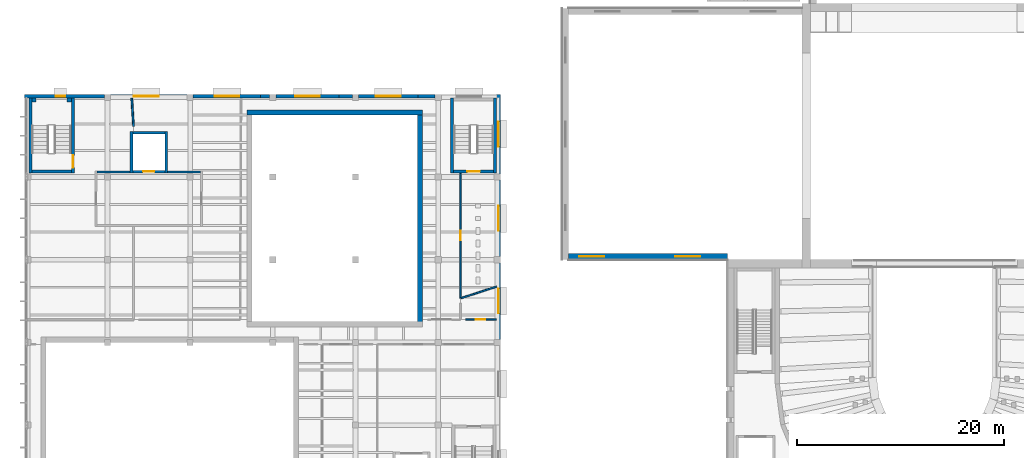
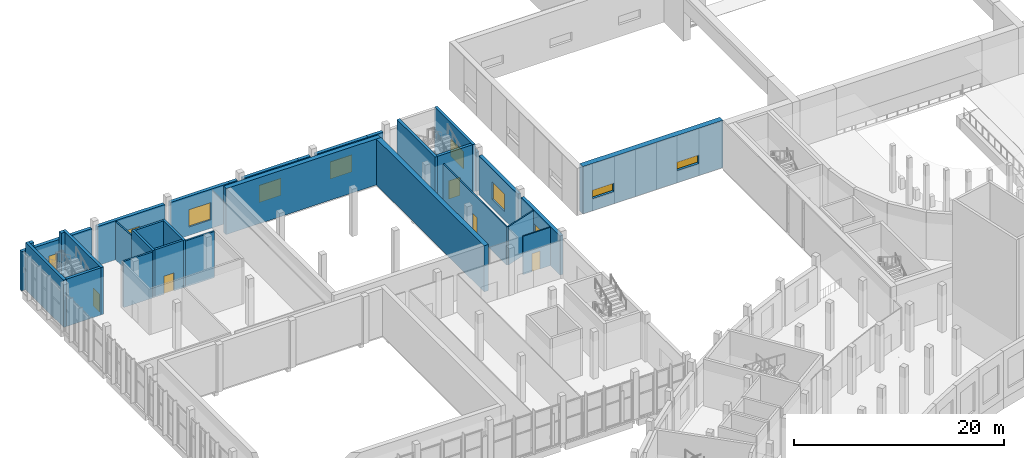
# One storey, part 37 of 87: 32 walls, 10 windows, 5 doors, 15 openings.
"""IFC4 building model written with IfcOpenShell, lengths in metres."""

from ifc_helpers import new_model, si_unit, direction, frame, frame_2d, origin, place, context, subcontext, project, spatial, rectangle, extrude, material, layer, layer_set, type_object, element, fill, save


model = new_model("IFC4")

# Units and contexts
model_context = context("Model", 3, precision=1e-05, world=origin(), true_north=direction((0.0, 1.0)))
body_context = subcontext(model_context, "Body", "Model", "MODEL_VIEW")
ifc_project = project(units=[si_unit("LENGTHUNIT", "METRE"), si_unit("AREAUNIT", "SQUARE_METRE"), si_unit("VOLUMEUNIT", "CUBIC_METRE"), si_unit("PLANEANGLEUNIT", "RADIAN"), si_unit("MASSUNIT", "GRAM", prefix="KILO")], contexts=[model_context])

# Site, building, storey
site_placement = place(None, origin())
site = spatial("IfcSite", under=ifc_project, at=site_placement, CompositionType="ELEMENT")
building_placement = place(site_placement, origin())
building = spatial("IfcBuilding", under=site, at=building_placement, Name="Lunette Opera House", CompositionType="ELEMENT")
storey_placement = place(building_placement, frame((0.0, 0.0, 11.5)))
storey = spatial("IfcBuildingStorey", under=building, at=storey_placement, Name="L02", CompositionType="ELEMENT", Elevation=11.5)

# Wall
ifc_material_1 = material(Name="Plastered clay blockwork", Category="masonry")
ifc_layer_1 = layer(ifc_material_1, 0.175048828125)
ifc_layer_set_1 = layer_set([ifc_layer_1], Name="Plastered clay blockwork")
wall_type_1 = type_object("IfcWallType", Name="ACOUSTIC BLOCK PARTITION 175", PredefinedType="PARTITIONING", material=ifc_layer_set_1)
wall_1_placement = place(storey_placement, frame((18.34912109375, 111.634033203125, 0.0), z_axis=(0.0, 0.0, 1.0), x_axis=(0.063804010447, -0.997962448317, 0.0)))
element("IfcWall", 1, at=wall_1_placement, inside=storey, type_object=wall_type_1, Name="Partition Soloists' Studio", PredefinedType="PARTITIONING", context=body_context, shape_type="SweptSolid", body=[
    extrude(rectangle(XDim=2.73974609375, YDim=0.175048828125, at=frame_2d((1.369873046875, 0.0))), origin(), (0.0, 0.0, 1.0), 4.449951171875),
])

# Wall, opening, door
ifc_material_2 = material(Name="Plastered clay blockwork", Category="masonry")
ifc_layer_2 = layer(ifc_material_2, 0.14990234375)
ifc_layer_set_2 = layer_set([ifc_layer_2], Name="Plastered clay blockwork")
wall_type_2 = type_object("IfcWallType", Name="BLOCK PARTITION 150", PredefinedType="PARTITIONING", material=ifc_layer_set_2)
wall_2_placement = place(storey_placement, frame((50.14892578125, 104.35009765625, 0.0), z_axis=(0.0, 0.0, 1.0), x_axis=(0.0, -1.0, 0.0)))
wall_2 = element("IfcWall", 2, at=wall_2_placement, inside=storey, type_object=wall_type_2, Name="Partition Rehearsal Wing WC L02", PredefinedType="PARTITIONING", context=body_context, shape_type="SweptSolid", body=[
    extrude(rectangle(XDim=12.072021484375, YDim=0.14990234375, at=frame_2d((6.0361328125, 0.0))), origin(), (0.0, 0.0, 1.0), 4.449951171875),
])
opening_1_placement = place(wall_2_placement, frame((5.56103515625, 0.0, 0.0)))
opening_1 = element("IfcOpeningElement", 3, at=opening_1_placement, cuts=wall_2, Name="Opening RW-D3034", PredefinedType="OPENING", context=body_context, shape_type="SweptSolid", body=[
    extrude(rectangle(XDim=0.89990234375, YDim=2.10009765625, at=frame_2d((0.449951171875, 1.050048828125))), frame((0.0, 0.0869140625, 0.0), z_axis=(0.0, -1.0, 0.0), x_axis=(1.0, 0.0, 0.0)), (0.0, 0.0, 1.0), 0.173828125),
])
ifc_material_3 = material(Name="Timber", Category="wood")
door_type_1 = type_object("IfcDoorType", Name="FLUSH DOOR 900 X 2100", OperationType="SINGLE_SWING_LEFT", PredefinedType="DOOR", material=ifc_material_3)
door_1_placement = place(opening_1_placement, origin())
door_1 = element("IfcDoor", 4, at=door_1_placement, inside=storey, type_object=door_type_1, Name="Rehearsal Wing WC L02 door", OperationType="SINGLE_SWING_LEFT", OverallHeight=2.10009765625, OverallWidth=0.89990234375, PredefinedType="DOOR", context=body_context, shape_type="SweptSolid", body=[
    extrude(rectangle(XDim=0.89990234375, YDim=2.10009765625, at=frame_2d((0.449951171875, 1.050048828125))), frame((0.0, 0.02490234375, 0.0), z_axis=(0.0, -1.0, 0.0), x_axis=(1.0, 0.0, 0.0)), (0.0, 0.0, 1.0), 0.050048828125),
])
fill(opening_1, door_1)

wall_3_placement = place(storey_placement, frame((50.64892578125, 90.199951171875, 0.0), z_axis=(0.0, 0.0, 1.0), x_axis=(1.0, 0.0, 0.0)))
wall_3 = element("IfcWall", 5, at=wall_3_placement, inside=storey, type_object=wall_type_2, Name="Partition Accessible WC L02 Rehearsal", PredefinedType="PARTITIONING", context=body_context, shape_type="SweptSolid", body=[
    extrude(rectangle(XDim=2.986083984375, YDim=0.14990234375, at=frame_2d((1.4931640625, 0.0))), origin(), (0.0, 0.0, 1.0), 4.449951171875),
])
opening_2_placement = place(wall_3_placement, frame((0.97509765625, 0.0, 0.0)))
opening_2 = element("IfcOpeningElement", 6, at=opening_2_placement, cuts=wall_3, Name="Opening RW-D3035", PredefinedType="OPENING", context=body_context, shape_type="SweptSolid", body=[
    extrude(rectangle(XDim=0.89990234375, YDim=2.10009765625, at=frame_2d((0.449951171875, 1.050048828125))), frame((0.0, 0.0869140625, 0.0), z_axis=(0.0, -1.0, 0.0), x_axis=(1.0, 0.0, 0.0)), (0.0, 0.0, 1.0), 0.173828125),
])
door_2_placement = place(opening_2_placement, origin())
door_2 = element("IfcDoor", 7, at=door_2_placement, inside=storey, type_object=door_type_1, Name="Accessible WC L02 Rehearsal door", OperationType="SINGLE_SWING_LEFT", OverallHeight=2.10009765625, OverallWidth=0.89990234375, PredefinedType="DOOR", context=body_context, shape_type="SweptSolid", body=[
    extrude(rectangle(XDim=0.89990234375, YDim=2.10009765625, at=frame_2d((0.449951171875, 1.050048828125))), frame((0.0, 0.02490234375, 0.0), z_axis=(0.0, -1.0, 0.0), x_axis=(1.0, 0.0, 0.0)), (0.0, 0.0, 1.0), 0.050048828125),
])
fill(opening_2, door_2)

# Walls
wall_4_placement = place(storey_placement, frame((50.22509765625, 92.278076171875, 0.0), z_axis=(0.0, 0.0, 1.0), x_axis=(0.950317009652, 0.311283763096, 0.0)))
element("IfcWall", 8, at=wall_4_placement, inside=storey, type_object=wall_type_2, Name="Partition Rehearsal Wing WC L02", PredefinedType="PARTITIONING", context=body_context, shape_type="SweptSolid", body=[
    extrude(rectangle(XDim=3.588134765625, YDim=0.14990234375, at=frame_2d((1.7939453125, 0.0))), origin(), (0.0, 0.0, 1.0), 4.449951171875),
])
ifc_material_4 = material(Name="Concrete C35/45", Category="concrete")
ifc_layer_3 = layer(ifc_material_4, 0.199951171875)
ifc_layer_set_3 = layer_set([ifc_layer_3], Name="Concrete C35/45")
wall_type_3 = type_object("IfcWallType", Name="LOBBY WALL 200", PredefinedType="PARTITIONING", material=ifc_layer_set_3)
for number, where, z_axis, x_axis, name in (
    (9, (25.0, 104.5, 0.0), (0.0, 0.0, 1.0), (-1.0, 0.0, 0.0), "LL-R lobby wall 2a"),
    (10, (18.179931640625, 104.5, 0.0), (0.0, 0.0, 1.0), (-1.0, 0.0, 0.0), "LL-R lobby wall 2b"),
):
    element("IfcWall", number, at=place(storey_placement, frame(where, z_axis=z_axis, x_axis=x_axis)), inside=storey, type_object=wall_type_3, Name=name, PredefinedType="PARTITIONING", context=body_context, shape_type="SweptSolid", body=[
        extrude(rectangle(XDim=3.179931640625, YDim=0.199951171875, at=frame_2d((1.58984375, 0.0))), origin(), (0.0, 0.0, 1.0), 5.35009765625),
    ])
ifc_material_5 = material(Name="Concrete C35/45", Category="concrete")
ifc_layer_4 = layer(ifc_material_5, 0.25)
ifc_layer_set_4 = layer_set([ifc_layer_4], Name="Concrete C35/45")
wall_type_4 = type_object("IfcWallType", Name="RC LIFT SHAFT WALL 250", PredefinedType="SOLIDWALL", material=ifc_layer_set_4)
wall_5_placement = place(storey_placement, frame((21.675048828125, 104.39990234375, 0.0), z_axis=(0.0, 0.0, 1.0), x_axis=(0.0, 1.0, 0.0)))
element("IfcWall", 11, at=wall_5_placement, inside=storey, type_object=wall_type_4, Name="LF5 shaft wall 1", PredefinedType="SOLIDWALL", context=body_context, shape_type="SweptSolid", body=[
    extrude(rectangle(XDim=4.0, YDim=0.25, at=frame_2d((2.0, 0.0))), origin(), (0.0, 0.0, 1.0), 5.5),
])
wall_6_placement = place(storey_placement, frame((21.550048828125, 108.27490234375, 0.0), z_axis=(0.0, 0.0, 1.0), x_axis=(-1.0, 0.0, 0.0)))
element("IfcWall", 12, at=wall_6_placement, inside=storey, type_object=wall_type_4, Name="LF5 shaft wall 2", PredefinedType="SOLIDWALL", context=body_context, shape_type="SweptSolid", body=[
    extrude(rectangle(XDim=3.10009765625, YDim=0.25, at=frame_2d((1.550048828125, 0.0))), origin(), (0.0, 0.0, 1.0), 5.5),
])
wall_7_placement = place(storey_placement, frame((18.324951171875, 108.39990234375, 0.0), z_axis=(0.0, 0.0, 1.0), x_axis=(0.0, -1.0, 0.0)))
element("IfcWall", 13, at=wall_7_placement, inside=storey, type_object=wall_type_4, Name="LF5 shaft wall 3", PredefinedType="SOLIDWALL", context=body_context, shape_type="SweptSolid", body=[
    extrude(rectangle(XDim=4.0, YDim=0.25, at=frame_2d((2.0, 0.0))), origin(), (0.0, 0.0, 1.0), 5.5),
])

# Wall, opening, door
wall_8_placement = place(storey_placement, frame((18.449951171875, 104.52490234375, 0.0), z_axis=(0.0, 0.0, 1.0), x_axis=(1.0, 0.0, 0.0)))
wall_8 = element("IfcWall", 14, at=wall_8_placement, inside=storey, type_object=wall_type_4, Name="LF5 shaft wall 4", PredefinedType="SOLIDWALL", context=body_context, shape_type="SweptSolid", body=[
    extrude(rectangle(XDim=3.10009765625, YDim=0.25, at=frame_2d((1.550048828125, 0.0))), origin(), (0.0, 0.0, 1.0), 5.5),
])
opening_3_placement = place(wall_8_placement, frame((1.0, 0.0, 0.0)))
opening_3 = element("IfcOpeningElement", 15, at=opening_3_placement, cuts=wall_8, Name="Opening RW-LD004", PredefinedType="OPENING", context=body_context, shape_type="SweptSolid", body=[
    extrude(rectangle(XDim=1.10009765625, YDim=2.10009765625, at=frame_2d((0.550048828125, 1.050048828125))), frame((0.0, 0.136962890625, 0.0), z_axis=(0.0, -1.0, 0.0), x_axis=(1.0, 0.0, 0.0)), (0.0, 0.0, 1.0), 0.27392578125),
])
ifc_material_6 = material(Name="Stainless steel", Category="steel")
door_type_2 = type_object("IfcDoorType", Name="LIFT LANDING DOOR 1100 X 2100", OperationType="DOUBLE_DOOR_SLIDING", PredefinedType="DOOR", material=ifc_material_6)
door_3_placement = place(opening_3_placement, origin())
door_3 = element("IfcDoor", 16, at=door_3_placement, inside=storey, type_object=door_type_2, Name="LF5 lift landing door", OperationType="DOUBLE_DOOR_SLIDING", OverallHeight=2.10009765625, OverallWidth=1.10009765625, PredefinedType="DOOR", context=body_context, shape_type="SweptSolid", body=[
    extrude(rectangle(XDim=1.10009765625, YDim=2.10009765625, at=frame_2d((0.550048828125, 1.050048828125))), frame((0.0, 0.02490234375, 0.0), z_axis=(0.0, -1.0, 0.0), x_axis=(1.0, 0.0, 0.0)), (0.0, 0.0, 1.0), 0.050048828125),
])
fill(opening_3, door_3)

# Walls
ifc_material_7 = material(Name="Concrete C35/45", Category="concrete")
ifc_layer_5 = layer(ifc_material_7, 0.39990234375)
ifc_layer_set_5 = layer_set([ifc_layer_5], Name="Concrete C35/45")
wall_type_5 = type_object("IfcWallType", Name="RC PILASTER 400", PredefinedType="SOLIDWALL", material=ifc_layer_set_5)
wall_9_placement = place(storey_placement, frame((12.5, 111.43505859375, 0.0), z_axis=(0.0, 0.0, 1.0), x_axis=(-1.0, 0.0, 0.0)))
element("IfcWall", 17, at=wall_9_placement, inside=storey, type_object=wall_type_5, Name="ST15 pilaster 1", PredefinedType="SOLIDWALL", context=body_context, shape_type="SweptSolid", body=[
    extrude(rectangle(XDim=0.39990234375, YDim=0.39990234375, at=frame_2d((0.199951171875, 0.0))), origin(), (0.0, 0.0, 1.0), 5.5),
])
wall_10_placement = place(storey_placement, frame((9.10009765625, 111.43505859375, 0.0), z_axis=(0.0, 0.0, 1.0), x_axis=(-1.0, 0.0, 0.0)))
element("IfcWall", 18, at=wall_10_placement, inside=storey, type_object=wall_type_5, Name="ST15 pilaster 2", PredefinedType="SOLIDWALL", context=body_context, shape_type="SweptSolid", body=[
    extrude(rectangle(XDim=0.400146484375, YDim=0.39990234375, at=frame_2d((0.2001953125, 0.0))), origin(), (0.0, 0.0, 1.0), 5.5),
])

# Wall, opening, door
ifc_material_8 = material(Name="Concrete C35/45", Category="concrete")
ifc_layer_6 = layer(ifc_material_8, 0.300048828125)
ifc_layer_set_6 = layer_set([ifc_layer_6], Name="Concrete C35/45")
wall_type_6 = type_object("IfcWallType", Name="RC STAIR ENCLOSURE WALL 300", PredefinedType="SOLIDWALL", material=ifc_layer_set_6)
wall_11_placement = place(storey_placement, frame((12.64990234375, 104.39990234375, 0.0), z_axis=(0.0, 0.0, 1.0), x_axis=(0.0, 1.0, 0.0)))
wall_11 = element("IfcWall", 19, at=wall_11_placement, inside=storey, type_object=wall_type_6, Name="ST15 enclosure wall 1", PredefinedType="SOLIDWALL", context=body_context, shape_type="SweptSolid", body=[
    extrude(rectangle(XDim=7.235107421875, YDim=0.300048828125, at=frame_2d((3.61767578125, 0.0))), origin(), (0.0, 0.0, 1.0), 5.5),
])
opening_4_placement = place(wall_11_placement, frame((0.5, 0.0, 0.0)))
opening_4 = element("IfcOpeningElement", 20, at=opening_4_placement, cuts=wall_11, Name="Opening RW-D7004", PredefinedType="OPENING", context=body_context, shape_type="SweptSolid", body=[
    extrude(rectangle(XDim=1.199951171875, YDim=2.10009765625, at=frame_2d((0.60009765625, 1.050048828125))), frame((0.0, 0.162109375, 0.0), z_axis=(0.0, -1.0, 0.0), x_axis=(1.0, 0.0, 0.0)), (0.0, 0.0, 1.0), 0.323974609375),
])
ifc_material_9 = material(Name="Steel", Category="steel")
door_type_3 = type_object("IfcDoorType", Name="FIRE DOOR 1200 X 2100", OperationType="SINGLE_SWING_LEFT", PredefinedType="DOOR", material=ifc_material_9)
door_4_placement = place(opening_4_placement, origin())
door_4 = element("IfcDoor", 21, at=door_4_placement, inside=storey, type_object=door_type_3, Name="ST15 stair door", OperationType="SINGLE_SWING_LEFT", OverallHeight=2.10009765625, OverallWidth=1.199951171875, PredefinedType="DOOR", context=body_context, shape_type="SweptSolid", body=[
    extrude(rectangle(XDim=1.199951171875, YDim=2.10009765625, at=frame_2d((0.60009765625, 1.050048828125))), frame((0.0, 0.02490234375, 0.0), z_axis=(0.0, -1.0, 0.0), x_axis=(1.0, 0.0, 0.0)), (0.0, 0.0, 1.0), 0.050048828125),
])
fill(opening_4, door_4)

# Walls
wall_12_placement = place(storey_placement, frame((8.550048828125, 111.635009765625, 0.0), z_axis=(0.0, 0.0, 1.0), x_axis=(0.0, -1.0, 0.0)))
element("IfcWall", 22, at=wall_12_placement, inside=storey, type_object=wall_type_6, Name="ST15 enclosure wall 3", PredefinedType="SOLIDWALL", context=body_context, shape_type="SweptSolid", body=[
    extrude(rectangle(XDim=7.235107421875, YDim=0.300048828125, at=frame_2d((3.61767578125, 0.0))), origin(), (0.0, 0.0, 1.0), 5.5),
])
wall_13_placement = place(storey_placement, frame((8.699951171875, 104.550048828125, 0.0), z_axis=(0.0, 0.0, 1.0), x_axis=(1.0, 0.0, 0.0)))
element("IfcWall", 23, at=wall_13_placement, inside=storey, type_object=wall_type_6, Name="ST15 enclosure wall 4", PredefinedType="SOLIDWALL", context=body_context, shape_type="SweptSolid", body=[
    extrude(rectangle(XDim=3.800048828125, YDim=0.300048828125, at=frame_2d((1.89990234375, 0.0))), origin(), (0.0, 0.0, 1.0), 5.5),
])
for number, where, z_axis, x_axis, name in (
    (24, (53.485107421875, 104.39990234375, 0.0), (0.0, 0.0, 1.0), (0.0, 1.0, 0.0), "ST17 enclosure wall 1"),
    (25, (49.35009765625, 111.635009765625, 0.0), (0.0, 0.0, 1.0), (0.0, -1.0, 0.0), "ST17 enclosure wall 3"),
):
    element("IfcWall", number, at=place(storey_placement, frame(where, z_axis=z_axis, x_axis=x_axis)), inside=storey, type_object=wall_type_6, Name=name, PredefinedType="SOLIDWALL", context=body_context, shape_type="SweptSolid", body=[
        extrude(rectangle(XDim=7.235107421875, YDim=0.300048828125, at=frame_2d((3.61767578125, 0.0))), origin(), (0.0, 0.0, 1.0), 5.5),
    ])

# Wall, opening, door
wall_14_placement = place(storey_placement, frame((49.5, 104.550048828125, 0.0), z_axis=(0.0, 0.0, 1.0), x_axis=(1.0, 0.0, 0.0)))
wall_14 = element("IfcWall", 26, at=wall_14_placement, inside=storey, type_object=wall_type_6, Name="ST17 enclosure wall 4", PredefinedType="SOLIDWALL", context=body_context, shape_type="SweptSolid", body=[
    extrude(rectangle(XDim=3.8349609375, YDim=0.300048828125, at=frame_2d((1.91748046875, 0.0))), origin(), (0.0, 0.0, 1.0), 5.5),
])
opening_5_placement = place(wall_14_placement, frame((1.31689453125, 0.0, 0.0)))
opening_5 = element("IfcOpeningElement", 27, at=opening_5_placement, cuts=wall_14, Name="Opening RW-D7016", PredefinedType="OPENING", context=body_context, shape_type="SweptSolid", body=[
    extrude(rectangle(XDim=1.199951171875, YDim=2.10009765625, at=frame_2d((0.60009765625, 1.050048828125))), frame((0.0, 0.162109375, 0.0), z_axis=(0.0, -1.0, 0.0), x_axis=(1.0, 0.0, 0.0)), (0.0, 0.0, 1.0), 0.323974609375),
])
door_5_placement = place(opening_5_placement, origin())
door_5 = element("IfcDoor", 28, at=door_5_placement, inside=storey, type_object=door_type_3, Name="ST17 stair door", OperationType="SINGLE_SWING_LEFT", OverallHeight=2.10009765625, OverallWidth=1.199951171875, PredefinedType="DOOR", context=body_context, shape_type="SweptSolid", body=[
    extrude(rectangle(XDim=1.199951171875, YDim=2.10009765625, at=frame_2d((0.60009765625, 1.050048828125))), frame((0.0, 0.02490234375, 0.0), z_axis=(0.0, -1.0, 0.0), x_axis=(1.0, 0.0, 0.0)), (0.0, 0.0, 1.0), 0.050048828125),
])
fill(opening_5, door_5)

# Walls
ifc_material_10 = material(Name="Concrete C35/45", Category="concrete")
ifc_layer_7 = layer(ifc_material_10, 0.5)
ifc_layer_set_7 = layer_set([ifc_layer_7], Name="Concrete C35/45")
wall_type_7 = type_object("IfcWallType", Name="RC WALL 500", PredefinedType="SHEAR", material=ifc_layer_set_7)
wall_15_placement = place(storey_placement, frame((29.5, 110.25, 0.0), z_axis=(0.0, 0.0, 1.0), x_axis=(1.0, 0.0, 0.0)))
element("IfcWall", 29, at=wall_15_placement, inside=storey, type_object=wall_type_7, Name="wall-RW-L02-OH-N-1", PredefinedType="SHEAR", context=body_context, shape_type="SweptSolid", body=[
    extrude(rectangle(XDim=17.0, YDim=0.5, at=frame_2d((8.5, 0.0))), origin(), (0.0, 0.0, 1.0), 5.35009765625),
])
wall_16_placement = place(storey_placement, frame((46.25, 89.5, 0.0), z_axis=(0.0, 0.0, 1.0), x_axis=(0.0, 1.0, 0.0)))
element("IfcWall", 30, at=wall_16_placement, inside=storey, type_object=wall_type_7, Name="wall-RW-L02-OH-E-1", PredefinedType="SHEAR", context=body_context, shape_type="SweptSolid", body=[
    extrude(rectangle(XDim=21.0, YDim=0.5, at=frame_2d((10.5, 0.0))), origin(), (0.0, 0.0, 1.0), 5.35009765625),
])

# Wall, openings, windows
ifc_material_11 = material(Name="Concrete C35/45", Category="concrete")
ifc_layer_8 = layer(ifc_material_11, 0.60009765625)
ifc_layer_set_8 = layer_set([ifc_layer_8], Name="Concrete C35/45")
wall_type_8 = type_object("IfcWallType", Name="RC WALL 600", PredefinedType="SHEAR", material=ifc_layer_set_8)
wall_17_placement = place(storey_placement, frame((60.60009765625, 96.300048828125, 0.0), z_axis=(0.0, 0.0, 1.0), x_axis=(1.0, 0.0, 0.0)))
wall_17 = element("IfcWall", 31, at=wall_17_placement, inside=storey, type_object=wall_type_8, Name="wall-ST-L02-SW-S-1", PredefinedType="SHEAR", context=body_context, shape_type="SweptSolid", body=[
    extrude(rectangle(XDim=15.389892578125, YDim=0.60009765625, at=frame_2d((7.69482421875, 0.0))), origin(), (0.0, 0.0, 1.0), 5.5),
])
opening_6_placement = place(wall_17_placement, frame((1.047119140625, 0.0, 1.39990234375)))
opening_6 = element("IfcOpeningElement", 32, at=opening_6_placement, cuts=wall_17, Name="Opening ST-N2093", PredefinedType="OPENING", context=body_context, shape_type="SweptSolid", body=[
    extrude(rectangle(XDim=2.39990234375, YDim=1.0, at=frame_2d((1.199951171875, 0.5))), frame((0.0, 0.31201171875, 0.0), z_axis=(0.0, -1.0, 0.0), x_axis=(1.0, 0.0, 0.0)), (0.0, 0.0, 1.0), 0.6240234375),
])
opening_7_placement = place(wall_17_placement, frame((10.342041015625, 0.0, 1.39990234375)))
opening_7 = element("IfcOpeningElement", 33, at=opening_7_placement, cuts=wall_17, Name="Opening ST-N2094", PredefinedType="OPENING", context=body_context, shape_type="SweptSolid", body=[
    extrude(rectangle(XDim=2.39990234375, YDim=1.0, at=frame_2d((1.199951171875, 0.5))), frame((0.0, 0.31201171875, 0.0), z_axis=(0.0, -1.0, 0.0), x_axis=(1.0, 0.0, 0.0)), (0.0, 0.0, 1.0), 0.6240234375),
])
ifc_material_12 = material(Name="Aluminium", Category="aluminium")
window_type_1 = type_object("IfcWindowType", Name="STAGE CLERESTORY WINDOW 2400 X 1000", PartitioningType="SINGLE_PANEL", PredefinedType="WINDOW", material=ifc_material_12)
window_1_placement = place(opening_6_placement, origin())
window_1 = element("IfcWindow", 34, at=window_1_placement, inside=storey, type_object=window_type_1, Name="Stage Clerestory Window 2400 X 1000 SW-S1 L02", OverallHeight=1.0, OverallWidth=2.39990234375, PartitioningType="SINGLE_PANEL", PredefinedType="WINDOW", context=body_context, shape_type="SweptSolid", body=[
    extrude(rectangle(XDim=2.39990234375, YDim=1.0, at=frame_2d((1.199951171875, 0.5))), frame((0.0, 0.030029296875, 0.0), z_axis=(0.0, -1.0, 0.0), x_axis=(1.0, 0.0, 0.0)), (0.0, 0.0, 1.0), 0.06005859375),
])
fill(opening_6, window_1)
window_2_placement = place(opening_7_placement, origin())
window_2 = element("IfcWindow", 35, at=window_2_placement, inside=storey, type_object=window_type_1, Name="Stage Clerestory Window 2400 X 1000 SW-S2 L02", OverallHeight=1.0, OverallWidth=2.39990234375, PartitioningType="SINGLE_PANEL", PredefinedType="WINDOW", context=body_context, shape_type="SweptSolid", body=[
    extrude(rectangle(XDim=2.39990234375, YDim=1.0, at=frame_2d((1.199951171875, 0.5))), frame((0.0, 0.030029296875, 0.0), z_axis=(0.0, -1.0, 0.0), x_axis=(1.0, 0.0, 0.0)), (0.0, 0.0, 1.0), 0.06005859375),
])
fill(opening_7, window_2)

# Wall, opening, window
ifc_material_13 = material(Name="Clinker brick", Category="masonry")
ifc_layer_9 = layer(ifc_material_13, 0.364990234375)
ifc_layer_set_9 = layer_set([ifc_layer_9], Name="Clinker brick")
wall_type_9 = type_object("IfcWallType", Name="REHEARSAL BRICK WALL 365", PredefinedType="SOLIDWALL", material=ifc_layer_set_9)
wall_18_placement = place(storey_placement, frame((53.818115234375, 88.300048828125, 0.0), z_axis=(0.0, 0.0, 1.0), x_axis=(0.0, 1.0, 0.0)))
wall_18 = element("IfcWall", 36, at=wall_18_placement, inside=storey, type_object=wall_type_9, Name="Rehearsal Brick Wall 365 F04 L02", PredefinedType="SOLIDWALL", context=body_context, shape_type="SweptSolid", body=[
    extrude(rectangle(XDim=7.39990234375, YDim=0.364990234375, at=frame_2d((3.699951171875, 0.0))), origin(), (0.0, 0.0, 1.0), 4.550048828125),
])
opening_8_placement = place(wall_18_placement, frame((2.5, 0.0, 1.0)))
opening_8 = element("IfcOpeningElement", 37, at=opening_8_placement, cuts=wall_18, Name="Opening RW-N2028", PredefinedType="OPENING", context=body_context, shape_type="SweptSolid", body=[
    extrude(rectangle(XDim=2.39990234375, YDim=2.0, at=frame_2d((1.199951171875, 1.0))), frame((0.0, 0.194580078125, 0.0), z_axis=(0.0, -1.0, 0.0), x_axis=(1.0, 0.0, 0.0)), (0.0, 0.0, 1.0), 0.388916015625),
])
ifc_material_14 = material(Name="Aluminium", Category="aluminium")
window_type_2 = type_object("IfcWindowType", Name="REHEARSAL WINDOW 2400 X 2000", PartitioningType="DOUBLE_PANEL_VERTICAL", PredefinedType="WINDOW", material=ifc_material_14)
window_3_placement = place(opening_8_placement, origin())
window_3 = element("IfcWindow", 38, at=window_3_placement, inside=storey, type_object=window_type_2, Name="Rehearsal Window 2400 X 2000 F04 L02", OverallHeight=2.0, OverallWidth=2.39990234375, PartitioningType="DOUBLE_PANEL_VERTICAL", PredefinedType="WINDOW", context=body_context, shape_type="SweptSolid", body=[
    extrude(rectangle(XDim=2.39990234375, YDim=2.0, at=frame_2d((1.199951171875, 1.0))), frame((0.0, 0.030029296875, 0.0), z_axis=(0.0, -1.0, 0.0), x_axis=(1.0, 0.0, 0.0)), (0.0, 0.0, 1.0), 0.06005859375),
])
fill(opening_8, window_3)

wall_19_placement = place(storey_placement, frame((53.818115234375, 96.300048828125, 0.0), z_axis=(0.0, 0.0, 1.0), x_axis=(0.0, 1.0, 0.0)))
wall_19 = element("IfcWall", 39, at=wall_19_placement, inside=storey, type_object=wall_type_9, Name="Rehearsal Brick Wall 365 F05 L02", PredefinedType="SOLIDWALL", context=body_context, shape_type="SweptSolid", body=[
    extrude(rectangle(XDim=7.39990234375, YDim=0.364990234375, at=frame_2d((3.699951171875, 0.0))), origin(), (0.0, 0.0, 1.0), 4.550048828125),
])
opening_9_placement = place(wall_19_placement, frame((2.5, 0.0, 1.0)))
opening_9 = element("IfcOpeningElement", 40, at=opening_9_placement, cuts=wall_19, Name="Opening RW-N2029", PredefinedType="OPENING", context=body_context, shape_type="SweptSolid", body=[
    extrude(rectangle(XDim=2.39990234375, YDim=2.0, at=frame_2d((1.199951171875, 1.0))), frame((0.0, 0.194580078125, 0.0), z_axis=(0.0, -1.0, 0.0), x_axis=(1.0, 0.0, 0.0)), (0.0, 0.0, 1.0), 0.388916015625),
])
window_4_placement = place(opening_9_placement, origin())
window_4 = element("IfcWindow", 41, at=window_4_placement, inside=storey, type_object=window_type_2, Name="Rehearsal Window 2400 X 2000 F05 L02", OverallHeight=2.0, OverallWidth=2.39990234375, PartitioningType="DOUBLE_PANEL_VERTICAL", PredefinedType="WINDOW", context=body_context, shape_type="SweptSolid", body=[
    extrude(rectangle(XDim=2.39990234375, YDim=2.0, at=frame_2d((1.199951171875, 1.0))), frame((0.0, 0.030029296875, 0.0), z_axis=(0.0, -1.0, 0.0), x_axis=(1.0, 0.0, 0.0)), (0.0, 0.0, 1.0), 0.06005859375),
])
fill(opening_9, window_4)

wall_20_placement = place(storey_placement, frame((53.818115234375, 104.300048828125, 0.0), z_axis=(0.0, 0.0, 1.0), x_axis=(0.0, 1.0, 0.0)))
wall_20 = element("IfcWall", 42, at=wall_20_placement, inside=storey, type_object=wall_type_9, Name="Rehearsal Brick Wall 365 F06 L02", PredefinedType="SOLIDWALL", context=body_context, shape_type="SweptSolid", body=[
    extrude(rectangle(XDim=7.699951171875, YDim=0.364990234375, at=frame_2d((3.85009765625, 0.0))), origin(), (0.0, 0.0, 1.0), 4.550048828125),
])
opening_10_placement = place(wall_20_placement, frame((2.64990234375, 0.0, 1.0)))
opening_10 = element("IfcOpeningElement", 43, at=opening_10_placement, cuts=wall_20, Name="Opening RW-N2030", PredefinedType="OPENING", context=body_context, shape_type="SweptSolid", body=[
    extrude(rectangle(XDim=2.39990234375, YDim=2.0, at=frame_2d((1.199951171875, 1.0))), frame((0.0, 0.194580078125, 0.0), z_axis=(0.0, -1.0, 0.0), x_axis=(1.0, 0.0, 0.0)), (0.0, 0.0, 1.0), 0.388916015625),
])
window_5_placement = place(opening_10_placement, origin())
window_5 = element("IfcWindow", 44, at=window_5_placement, inside=storey, type_object=window_type_2, Name="Rehearsal Window 2400 X 2000 F06 L02", OverallHeight=2.0, OverallWidth=2.39990234375, PartitioningType="DOUBLE_PANEL_VERTICAL", PredefinedType="WINDOW", context=body_context, shape_type="SweptSolid", body=[
    extrude(rectangle(XDim=2.39990234375, YDim=2.0, at=frame_2d((1.199951171875, 1.0))), frame((0.0, 0.030029296875, 0.0), z_axis=(0.0, -1.0, 0.0), x_axis=(1.0, 0.0, 0.0)), (0.0, 0.0, 1.0), 0.06005859375),
])
fill(opening_10, window_5)

# Wall
wall_21_placement = place(storey_placement, frame((47.699951171875, 111.81689453125, 0.0), z_axis=(0.0, 0.0, 1.0), x_axis=(-1.0, 0.0, 0.0)))
element("IfcWall", 45, at=wall_21_placement, inside=storey, type_object=wall_type_9, Name="Rehearsal Brick Wall 365 F07-2 L02", PredefinedType="SOLIDWALL", context=body_context, shape_type="SweptSolid", body=[
    extrude(rectangle(XDim=1.6708984375, YDim=0.364990234375, at=frame_2d((0.83544921875, 0.0))), origin(), (0.0, 0.0, 1.0), 4.550048828125),
])

# Wall, opening, window
wall_22_placement = place(storey_placement, frame((46.029052734375, 111.81689453125, 0.0), z_axis=(0.0, 0.0, 1.0), x_axis=(-1.0, 0.0, 0.0)))
wall_22 = element("IfcWall", 46, at=wall_22_placement, inside=storey, type_object=wall_type_9, Name="Rehearsal Brick Wall 365 F08-1 L02", PredefinedType="SOLIDWALL", context=body_context, shape_type="SweptSolid", body=[
    extrude(rectangle(XDim=5.72900390625, YDim=0.364990234375, at=frame_2d((2.864501953125, 0.0))), origin(), (0.0, 0.0, 1.0), 4.550048828125),
])
opening_11_placement = place(wall_22_placement, frame((1.6650390625, 0.0, 1.0)))
opening_11 = element("IfcOpeningElement", 47, at=opening_11_placement, cuts=wall_22, Name="Opening RW-N2032", PredefinedType="OPENING", context=body_context, shape_type="SweptSolid", body=[
    extrude(rectangle(XDim=2.39990234375, YDim=2.0, at=frame_2d((1.199951171875, 1.0))), frame((0.0, 0.194580078125, 0.0), z_axis=(0.0, -1.0, 0.0), x_axis=(1.0, 0.0, 0.0)), (0.0, 0.0, 1.0), 0.388916015625),
])
window_6_placement = place(opening_11_placement, origin())
window_6 = element("IfcWindow", 48, at=window_6_placement, inside=storey, type_object=window_type_2, Name="Rehearsal Window 2400 X 2000 F08-1 L02", OverallHeight=2.0, OverallWidth=2.39990234375, PartitioningType="DOUBLE_PANEL_VERTICAL", PredefinedType="WINDOW", context=body_context, shape_type="SweptSolid", body=[
    extrude(rectangle(XDim=2.39990234375, YDim=2.0, at=frame_2d((1.199951171875, 1.0))), frame((0.0, 0.030029296875, 0.0), z_axis=(0.0, -1.0, 0.0), x_axis=(1.0, 0.0, 0.0)), (0.0, 0.0, 1.0), 0.06005859375),
])
fill(opening_11, window_6)

# Wall
wall_23_placement = place(storey_placement, frame((39.699951171875, 111.81689453125, 0.0), z_axis=(0.0, 0.0, 1.0), x_axis=(-1.0, 0.0, 0.0)))
element("IfcWall", 49, at=wall_23_placement, inside=storey, type_object=wall_type_9, Name="Rehearsal Brick Wall 365 F08-2 L02", PredefinedType="SOLIDWALL", context=body_context, shape_type="SweptSolid", body=[
    extrude(rectangle(XDim=1.27685546875, YDim=0.364990234375, at=frame_2d((0.638427734375, 0.0))), origin(), (0.0, 0.0, 1.0), 4.550048828125),
])

# Wall, opening, window
wall_24_placement = place(storey_placement, frame((38.423095703125, 111.81689453125, 0.0), z_axis=(0.0, 0.0, 1.0), x_axis=(-1.0, 0.0, 0.0)))
wall_24 = element("IfcWall", 50, at=wall_24_placement, inside=storey, type_object=wall_type_9, Name="Rehearsal Brick Wall 365 F09-1 L02", PredefinedType="SOLIDWALL", context=body_context, shape_type="SweptSolid", body=[
    extrude(rectangle(XDim=6.123046875, YDim=0.364990234375, at=frame_2d((3.0615234375, 0.0))), origin(), (0.0, 0.0, 1.0), 4.550048828125),
])
opening_12_placement = place(wall_24_placement, frame((1.862060546875, 0.0, 1.0)))
opening_12 = element("IfcOpeningElement", 51, at=opening_12_placement, cuts=wall_24, Name="Opening RW-N2033", PredefinedType="OPENING", context=body_context, shape_type="SweptSolid", body=[
    extrude(rectangle(XDim=2.39990234375, YDim=2.0, at=frame_2d((1.199951171875, 1.0))), frame((0.0, 0.194580078125, 0.0), z_axis=(0.0, -1.0, 0.0), x_axis=(1.0, 0.0, 0.0)), (0.0, 0.0, 1.0), 0.388916015625),
])
window_7_placement = place(opening_12_placement, origin())
window_7 = element("IfcWindow", 52, at=window_7_placement, inside=storey, type_object=window_type_2, Name="Rehearsal Window 2400 X 2000 F09-1 L02", OverallHeight=2.0, OverallWidth=2.39990234375, PartitioningType="DOUBLE_PANEL_VERTICAL", PredefinedType="WINDOW", context=body_context, shape_type="SweptSolid", body=[
    extrude(rectangle(XDim=2.39990234375, YDim=2.0, at=frame_2d((1.199951171875, 1.0))), frame((0.0, 0.030029296875, 0.0), z_axis=(0.0, -1.0, 0.0), x_axis=(1.0, 0.0, 0.0)), (0.0, 0.0, 1.0), 0.06005859375),
])
fill(opening_12, window_7)

# Wall
wall_25_placement = place(storey_placement, frame((31.699951171875, 111.81689453125, 0.0), z_axis=(0.0, 0.0, 1.0), x_axis=(-1.0, 0.0, 0.0)))
element("IfcWall", 53, at=wall_25_placement, inside=storey, type_object=wall_type_9, Name="Rehearsal Brick Wall 365 F09-2 L02", PredefinedType="SOLIDWALL", context=body_context, shape_type="SweptSolid", body=[
    extrude(rectangle(XDim=0.883056640625, YDim=0.364990234375, at=frame_2d((0.44140625, 0.0))), origin(), (0.0, 0.0, 1.0), 4.550048828125),
])

# Wall, opening, window
wall_26_placement = place(storey_placement, frame((30.81689453125, 111.81689453125, 0.0), z_axis=(0.0, 0.0, 1.0), x_axis=(-1.0, 0.0, 0.0)))
wall_26 = element("IfcWall", 54, at=wall_26_placement, inside=storey, type_object=wall_type_9, Name="Rehearsal Brick Wall 365 F10 L02", PredefinedType="SOLIDWALL", context=body_context, shape_type="SweptSolid", body=[
    extrude(rectangle(XDim=6.516845703125, YDim=0.364990234375, at=frame_2d((3.25830078125, 0.0))), origin(), (0.0, 0.0, 1.0), 4.550048828125),
])
opening_13_placement = place(wall_26_placement, frame((2.05908203125, 0.0, 1.0)))
opening_13 = element("IfcOpeningElement", 55, at=opening_13_placement, cuts=wall_26, Name="Opening RW-N2034", PredefinedType="OPENING", context=body_context, shape_type="SweptSolid", body=[
    extrude(rectangle(XDim=2.39990234375, YDim=2.0, at=frame_2d((1.199951171875, 1.0))), frame((0.0, 0.194580078125, 0.0), z_axis=(0.0, -1.0, 0.0), x_axis=(1.0, 0.0, 0.0)), (0.0, 0.0, 1.0), 0.388916015625),
])
window_8_placement = place(opening_13_placement, origin())
window_8 = element("IfcWindow", 56, at=window_8_placement, inside=storey, type_object=window_type_2, Name="Rehearsal Window 2400 X 2000 F10 L02", OverallHeight=2.0, OverallWidth=2.39990234375, PartitioningType="DOUBLE_PANEL_VERTICAL", PredefinedType="WINDOW", context=body_context, shape_type="SweptSolid", body=[
    extrude(rectangle(XDim=2.39990234375, YDim=2.0, at=frame_2d((1.199951171875, 1.0))), frame((0.0, 0.030029296875, 0.0), z_axis=(0.0, -1.0, 0.0), x_axis=(1.0, 0.0, 0.0)), (0.0, 0.0, 1.0), 0.06005859375),
])
fill(opening_13, window_8)

wall_27_placement = place(storey_placement, frame((23.697021484375, 111.81689453125, 0.0), z_axis=(0.0, 0.0, 1.0), x_axis=(-1.0, 0.0, 0.0)))
wall_27 = element("IfcWall", 57, at=wall_27_placement, inside=storey, type_object=wall_type_9, Name="Rehearsal Brick Wall 365 F11 L02", PredefinedType="SOLIDWALL", context=body_context, shape_type="SweptSolid", body=[
    extrude(rectangle(XDim=7.39697265625, YDim=0.364990234375, at=frame_2d((3.698486328125, 0.0))), origin(), (0.0, 0.0, 1.0), 4.550048828125),
])
opening_14_placement = place(wall_27_placement, frame((2.740966796875, 0.0, 1.0)))
opening_14 = element("IfcOpeningElement", 58, at=opening_14_placement, cuts=wall_27, Name="Opening RW-N2035", PredefinedType="OPENING", context=body_context, shape_type="SweptSolid", body=[
    extrude(rectangle(XDim=2.39990234375, YDim=2.0, at=frame_2d((1.199951171875, 1.0))), frame((0.0, 0.194580078125, 0.0), z_axis=(0.0, -1.0, 0.0), x_axis=(1.0, 0.0, 0.0)), (0.0, 0.0, 1.0), 0.388916015625),
])
window_9_placement = place(opening_14_placement, origin())
window_9 = element("IfcWindow", 59, at=window_9_placement, inside=storey, type_object=window_type_2, Name="Rehearsal Window 2400 X 2000 F11 L02", OverallHeight=2.0, OverallWidth=2.39990234375, PartitioningType="DOUBLE_PANEL_VERTICAL", PredefinedType="WINDOW", context=body_context, shape_type="SweptSolid", body=[
    extrude(rectangle(XDim=2.39990234375, YDim=2.0, at=frame_2d((1.199951171875, 1.0))), frame((0.0, 0.030029296875, 0.0), z_axis=(0.0, -1.0, 0.0), x_axis=(1.0, 0.0, 0.0)), (0.0, 0.0, 1.0), 0.06005859375),
])
fill(opening_14, window_9)

wall_28_placement = place(storey_placement, frame((15.700927734375, 111.81689453125, 0.0), z_axis=(0.0, 0.0, 1.0), x_axis=(-1.0, 0.0, 0.0)))
wall_28 = element("IfcWall", 60, at=wall_28_placement, inside=storey, type_object=wall_type_9, Name="Rehearsal Brick Wall 365 F12 L02", PredefinedType="SOLIDWALL", context=body_context, shape_type="SweptSolid", body=[
    extrude(rectangle(XDim=7.700927734375, YDim=0.364990234375, at=frame_2d((3.8505859375, 0.0))), origin(), (0.0, 0.0, 1.0), 4.550048828125),
])
opening_15_placement = place(wall_28_placement, frame((3.800048828125, 0.0, 1.0)))
opening_15 = element("IfcOpeningElement", 61, at=opening_15_placement, cuts=wall_28, Name="Opening RW-N2062", PredefinedType="OPENING", context=body_context, shape_type="SweptSolid", body=[
    extrude(rectangle(XDim=0.89990234375, YDim=2.0, at=frame_2d((0.449951171875, 1.0))), frame((0.0, 0.194580078125, 0.0), z_axis=(0.0, -1.0, 0.0), x_axis=(1.0, 0.0, 0.0)), (0.0, 0.0, 1.0), 0.388916015625),
])
ifc_material_15 = material(Name="Aluminium", Category="aluminium")
window_type_3 = type_object("IfcWindowType", Name="REHEARSAL WINDOW 900 X 2000", PartitioningType="SINGLE_PANEL", PredefinedType="WINDOW", material=ifc_material_15)
window_10_placement = place(opening_15_placement, origin())
window_10 = element("IfcWindow", 62, at=window_10_placement, inside=storey, type_object=window_type_3, Name="Rehearsal Window 900 X 2000 F12b L02", OverallHeight=2.0, OverallWidth=0.89990234375, PartitioningType="SINGLE_PANEL", PredefinedType="WINDOW", context=body_context, shape_type="SweptSolid", body=[
    extrude(rectangle(XDim=0.89990234375, YDim=2.0, at=frame_2d((0.449951171875, 1.0))), frame((0.0, 0.030029296875, 0.0), z_axis=(0.0, -1.0, 0.0), x_axis=(1.0, 0.0, 0.0)), (0.0, 0.0, 1.0), 0.06005859375),
])
fill(opening_15, window_10)

save(model, "model.ifc")
